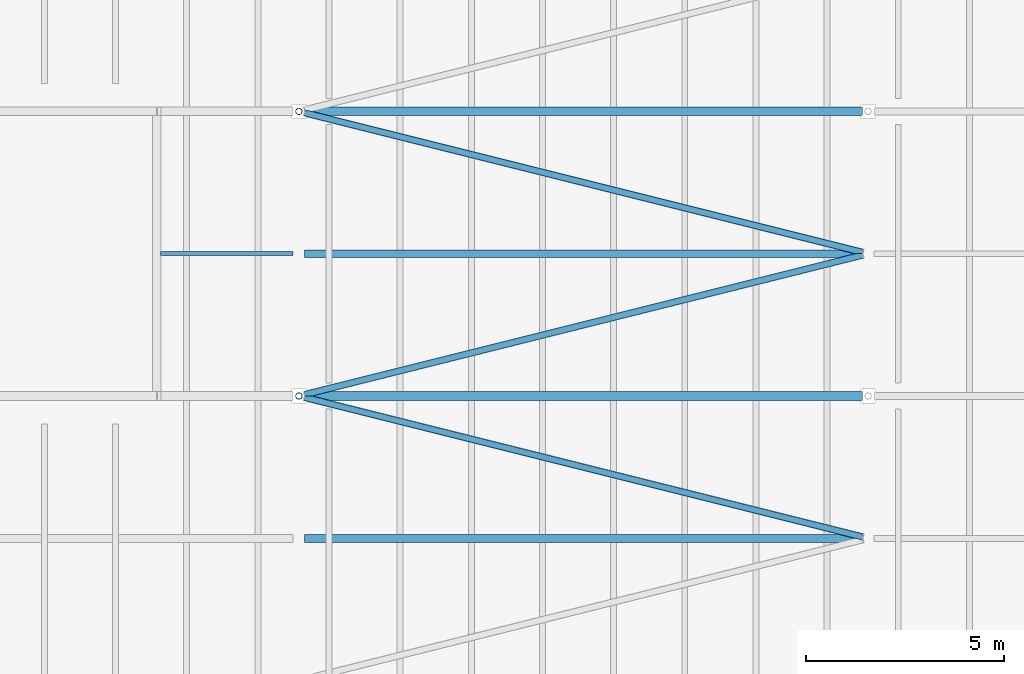
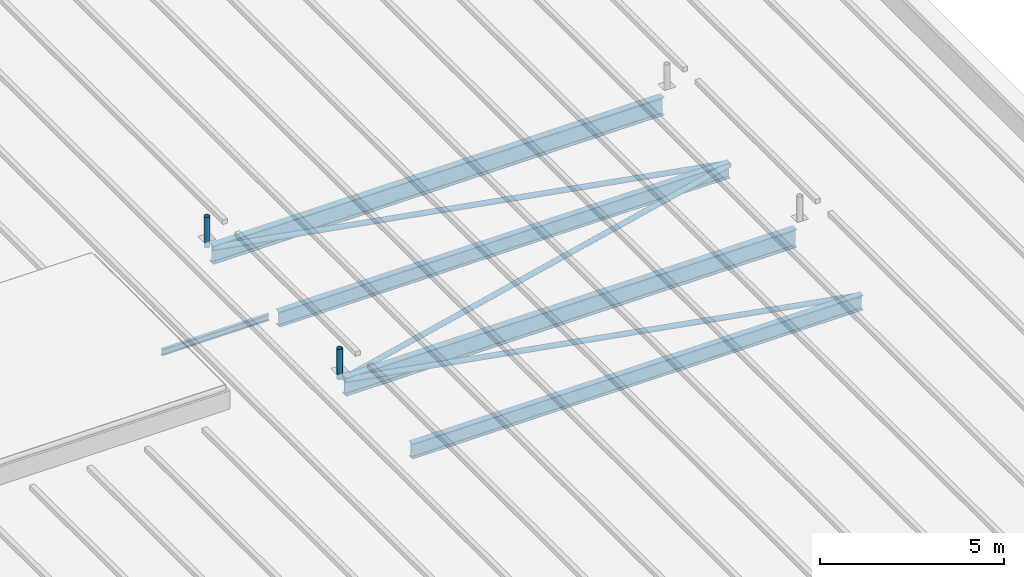
# One storey, part 51 of 120: 5 beams, 5 members.
"""IFC4 building model written with IfcOpenShell, lengths in metres."""

import ifcopenshell
import ifcopenshell.guid

model = None  # the IFC model being written
_history = None  # IfcOwnerHistory: only IFC2X3 demands one
_inside = {}  # id of a spatial element -> (the spatial element, [elements in it])
_under = {}  # id of a project, library or spatial element -> (it, [spatial elements below it])
_declared = {}  # id of a project -> (the project, [libraries it declares])
_typed = {}  # id of a type object -> (the type object, [elements of that type])
_made_of = {}  # id of a material, layer set ... -> (it, [elements and type objects made of it])


def new_model(schema):
    """Start an empty IFC model of exactly this schema.

    Asked for "IFC4X3", IfcOpenShell would pick the latest addendum, in which some entities
    have other attributes; the version numbers below select the first issue.
    IFC2X3 requires an IfcOwnerHistory on every rooted entity: one is made here for all.
    """
    global model, _history
    if schema == "IFC4X3":
        model = ifcopenshell.file(schema_version=(4, 3, 0, 0))
    else:
        model = ifcopenshell.file(schema=schema)
    _inside.clear()
    _under.clear()
    _declared.clear()
    _typed.clear()
    _made_of.clear()
    _history = None
    if model.schema == "IFC2X3":
        org = make("IfcOrganization", Name="unknown")
        user = make(
            "IfcPersonAndOrganization",
            ThePerson=make("IfcPerson", FamilyName="unknown"),
            TheOrganization=org,
        )
        app = make(
            "IfcApplication",
            ApplicationDeveloper=org,
            Version="unknown",
            ApplicationFullName="unknown",
            ApplicationIdentifier="unknown",
        )
        _history = make(
            "IfcOwnerHistory",
            OwningUser=user,
            OwningApplication=app,
            ChangeAction="ADDED",
            CreationDate=0,
        )
    return model


def make(cls, **values):
    """One entity of the class cls with the attributes given. An attribute that is None is left unset."""
    return model.create_entity(
        cls, **{name: value for name, value in values.items() if value is not None}
    )


def rooted(cls, **values):
    """An entity with a GlobalId (a new one), such as an element, a storey or a relation."""
    return make(cls, GlobalId=ifcopenshell.guid.new(), OwnerHistory=_history, **values)


def si_unit(unit_type, name, prefix=None):
    """IfcSIUnit, for example si_unit("LENGTHUNIT", "METRE", prefix="MILLI")."""
    return make("IfcSIUnit", UnitType=unit_type, Prefix=prefix, Name=name)


def assignment(units):
    """IfcUnitAssignment: the units of a project."""
    return None if units is None else make("IfcUnitAssignment", Units=units)


def point(xyz):
    """IfcCartesianPoint."""
    return None if xyz is None else make("IfcCartesianPoint", Coordinates=xyz)


def direction(xyz):
    """IfcDirection."""
    return None if xyz is None else make("IfcDirection", DirectionRatios=xyz)


def frame(location, z_axis=None, x_axis=None):
    """IfcAxis2Placement3D, a coordinate frame: its origin and axes. An axis left out is left unset."""
    return make(
        "IfcAxis2Placement3D",
        Location=point(location),
        Axis=direction(z_axis),
        RefDirection=direction(x_axis),
    )


def frame_2d(location, x_axis=None):
    """IfcAxis2Placement2D, a coordinate frame in the plane: its origin and x axis."""
    return make(
        "IfcAxis2Placement2D", Location=point(location), RefDirection=direction(x_axis)
    )


def origin():
    """The frame at (0, 0, 0) with its axes left unset."""
    return frame((0.0, 0.0, 0.0))


def origin_2d():
    """The frame at (0, 0) in the plane with its x axis left unset."""
    return frame_2d((0.0, 0.0))


def place(relative_to, where):
    """IfcLocalPlacement: puts the frame where relative to a parent placement (None: the world)."""
    return make(
        "IfcLocalPlacement", PlacementRelTo=relative_to, RelativePlacement=where
    )


def context(
    kind, dimensions, precision=None, world=None, true_north=None, identifier=None
):
    """IfcGeometricRepresentationContext, for example the 3D "Model" context."""
    return make(
        "IfcGeometricRepresentationContext",
        ContextIdentifier=identifier,
        ContextType=kind,
        CoordinateSpaceDimension=dimensions,
        Precision=precision,
        WorldCoordinateSystem=world,
        TrueNorth=true_north,
    )


def subcontext(parent, identifier, kind, view, scale=None):
    """IfcGeometricRepresentationSubContext, for example "Body" below "Model"."""
    return make(
        "IfcGeometricRepresentationSubContext",
        ContextIdentifier=identifier,
        ContextType=kind,
        ParentContext=parent,
        TargetScale=scale,
        TargetView=view,
    )


def project(units=None, contexts=None):
    """IfcProject with its units and contexts."""
    return rooted(
        "IfcProject",
        Name="project",
        RepresentationContexts=contexts,
        UnitsInContext=assignment(units),
    )


def spatial(cls, under=None, at=None, **own):
    """A site, building, storey or space (cls), placed at a placement, below another one or the project."""
    s = rooted(cls, ObjectPlacement=at, **own)
    if under is not None:
        _under.setdefault(under.id(), (under, []))[1].append(s)
    return s


def profile(cls, at=None, kind="AREA", **sizes):
    """A parametric profile (cls). Its sizes go by their IFC names, for example OverallWidth=200.0."""
    return make(cls, ProfileType=kind, Position=at, **sizes)


def hollow_circle(**sizes):
    """IfcCircleHollowProfileDef."""
    return profile("IfcCircleHollowProfileDef", **sizes)


def i_section(**sizes):
    """IfcIShapeProfileDef."""
    return profile("IfcIShapeProfileDef", **sizes)


def extrude(swept, where, along, depth):
    """IfcExtrudedAreaSolid: the profile swept, set in the frame where, extruded along a direction by depth."""
    return make(
        "IfcExtrudedAreaSolid",
        SweptArea=swept,
        Position=where,
        ExtrudedDirection=direction(along),
        Depth=depth,
    )


def shape(context_of_items, identifier, shape_type, items):
    """IfcShapeRepresentation: the items that make up one representation, for example the "Body"."""
    return make(
        "IfcShapeRepresentation",
        ContextOfItems=context_of_items,
        RepresentationIdentifier=identifier,
        RepresentationType=shape_type,
        Items=items,
    )


def material(Name=None, Category=None):
    """IfcMaterial."""
    return make("IfcMaterial", Name=Name, Category=Category)


def material_profile(
    of_material, cross_section, Name=None, Category=None, Priority=None
):
    """IfcMaterialProfile: a cross section and its material."""
    return make(
        "IfcMaterialProfile",
        Name=Name,
        Material=of_material,
        Profile=cross_section,
        Priority=Priority,
        Category=Category,
    )


def profile_set(profiles, Name=None, composite=None):
    """IfcMaterialProfileSet."""
    return make(
        "IfcMaterialProfileSet",
        Name=Name,
        MaterialProfiles=profiles,
        CompositeProfile=composite,
    )


def made_of(thing, what):
    """Note that an element or type object is made of a material, layer set ...; save() writes the relation."""
    if what is not None:
        _made_of.setdefault(what.id(), (what, []))[1].append(thing)
    return thing


def type_object(cls, material=None, **own):
    """A type object (cls), such as IfcWallType, which elements share."""
    return made_of(rooted(cls, **own), material)


def element(
    cls,
    number,
    at=None,
    inside=None,
    cuts=None,
    type_object=None,
    material=None,
    context=None,
    identifier="Body",
    shape_type=None,
    held_by="IfcProductDefinitionShape",
    body=None,
    shapes=None,
    **own,
):
    """One element of the class cls, such as IfcWall. Its Tag is "e" and its number.

    at: its placement. inside: the storey or other place that contains it. cuts: it is an
    opening in that element (IfcRelVoidsElement). A single representation is given by context,
    identifier, shape_type and body (its items); several are given by shapes. held_by: the class
    of the entity that holds the representations. save() writes the other relations.
    """
    e = rooted(cls, Tag="e%d" % number, ObjectPlacement=at, **own)
    if body is not None:
        shapes = [shape(context, identifier, shape_type, body)]
    if shapes is not None:
        e.Representation = make(held_by, Representations=shapes)
    if inside is not None:
        _inside.setdefault(inside.id(), (inside, []))[1].append(e)
    if cuts is not None:
        rooted(
            "IfcRelVoidsElement", RelatingBuildingElement=cuts, RelatedOpeningElement=e
        )
    if type_object is not None:
        _typed.setdefault(type_object.id(), (type_object, []))[1].append(e)
    return made_of(e, material)


def aggregate(whole, parts):
    """IfcRelAggregates: a whole, such as a stair, and the parts it consists of."""
    return rooted("IfcRelAggregates", RelatingObject=whole, RelatedObjects=parts)


def save(model, path):
    """Write the relations noted so far, then the file.

    IfcRelAggregates (storeys below a building ...), IfcRelContainedInSpatialStructure (elements
    in a storey), IfcRelDefinesByType, IfcRelAssociatesMaterial and IfcRelDeclares: one each for
    every whole, place, type object, material and project.
    """
    for whole, parts in _under.values():
        aggregate(whole, parts)
    for where, things in _inside.values():
        rooted(
            "IfcRelContainedInSpatialStructure",
            RelatedElements=things,
            RelatingStructure=where,
        )
    for kind, things in _typed.values():
        rooted("IfcRelDefinesByType", RelatedObjects=things, RelatingType=kind)
    for what, things in _made_of.values():
        rooted("IfcRelAssociatesMaterial", RelatedObjects=things, RelatingMaterial=what)
    for by, libraries in _declared.values():
        rooted("IfcRelDeclares", RelatingContext=by, RelatedDefinitions=libraries)
    model.write(path)


model = new_model("IFC4")

# Units and contexts
model_context = context("Model", 3, precision=1e-05, world=origin(), true_north=direction((0.0, 1.0)))
body_context = subcontext(model_context, "Body", "Model", "MODEL_VIEW")
ifc_project = project(units=[si_unit("LENGTHUNIT", "METRE"), si_unit("AREAUNIT", "SQUARE_METRE"), si_unit("VOLUMEUNIT", "CUBIC_METRE"), si_unit("PLANEANGLEUNIT", "RADIAN"), si_unit("MASSUNIT", "GRAM", prefix="KILO")], contexts=[model_context])

# Site, building, storey
site_placement = place(None, origin())
site = spatial("IfcSite", under=ifc_project, at=site_placement, CompositionType="ELEMENT")
building_placement = place(site_placement, origin())
building = spatial("IfcBuilding", under=site, at=building_placement, Name="Kupolbacken Congress Centre", CompositionType="ELEMENT")
storey_placement = place(building_placement, frame((0.0, 0.0, 21.60009765625)))
storey = spatial("IfcBuildingStorey", under=building, at=storey_placement, Name="L06", CompositionType="ELEMENT", Elevation=21.60009765625)

# Beams
ifc_material_1 = material(Name="Steel S355", Category="steel")
ifc_material_profile_1 = material_profile(ifc_material_1, i_section(OverallWidth=0.10009765625, OverallDepth=0.199951171875, WebThickness=0.005615234375, FlangeThickness=0.008544921875, FilletRadius=0.011962890625, at=origin_2d()), Name="IPE 200")
ifc_profile_set_1 = profile_set([ifc_material_profile_1], Name="Steel S355")
beam_type_1 = type_object("IfcBeamType", Name="B01 beam IPE 200", PredefinedType="BEAM", material=ifc_profile_set_1)
beam_placement = place(storey_placement, frame((176.5, 79.199951171875, -0.10009765625), z_axis=(1.0, 0.0, 0.0), x_axis=(0.0, 1.0, 0.0)))
element("IfcBeam", 1, at=beam_placement, inside=storey, type_object=beam_type_1, Name="HR/P10-06-1", PredefinedType="BEAM", context=body_context, shape_type="SweptSolid", body=[
    extrude(i_section(OverallWidth=0.10009765625, OverallDepth=0.199951171875, WebThickness=0.005615234375, FlangeThickness=0.008544921875, FilletRadius=0.011962890625, at=origin_2d()), origin(), (0.0, 0.0, 1.0), 3.35498046875),
])
ifc_material_2 = material(Name="Steel S355", Category="steel")
ifc_material_profile_2 = material_profile(ifc_material_2, i_section(OverallWidth=0.199951171875, OverallDepth=0.5, WebThickness=0.01025390625, FlangeThickness=0.01611328125, FilletRadius=0.02099609375, at=origin_2d()), Name="IPE 500")
ifc_profile_set_2 = profile_set([ifc_material_profile_2], Name="Steel S355")
beam_type_2 = type_object("IfcBeamType", Name="B09 beam IPE 500", PredefinedType="BEAM", material=ifc_profile_set_2)
for number, where, z_axis, x_axis, name in (
    (2, (180.14501953125, 72.0, -0.25), (1.0, 0.0, 0.0), (0.0, 1.0, 0.0), "HR/P08-07"),
    (3, (180.14501953125, 79.199951171875, -0.25), (1.0, 0.0, 0.0), (0.0, 1.0, 0.0), "HR/P10-07"),
):
    element("IfcBeam", number, at=place(storey_placement, frame(where, z_axis=z_axis, x_axis=x_axis)), inside=storey, type_object=beam_type_2, Name=name, PredefinedType="BEAM", context=body_context, shape_type="SweptSolid", body=[
        extrude(i_section(OverallWidth=0.199951171875, OverallDepth=0.5, WebThickness=0.01025390625, FlangeThickness=0.01611328125, FilletRadius=0.02099609375, at=origin_2d()), origin(), (0.0, 0.0, 1.0), 14.10986328125),
    ])
ifc_material_3 = material(Name="Steel S355", Category="steel")
ifc_material_profile_3 = material_profile(ifc_material_3, i_section(OverallWidth=0.219970703125, OverallDepth=0.60009765625, WebThickness=0.011962890625, FlangeThickness=0.01904296875, FilletRadius=0.02392578125, at=origin_2d()), Name="IPE 600")
ifc_profile_set_3 = profile_set([ifc_material_profile_3], Name="Steel S355")
beam_type_3 = type_object("IfcBeamType", Name="B11 beam IPE 600", PredefinedType="BEAM", material=ifc_profile_set_3)
for number, where, z_axis, x_axis, name in (
    (4, (180.14501953125, 75.60009765625, -0.300048828125), (1.0, 0.0, 0.0), (0.0, 1.0, 0.0), "HR/X09-07"),
    (5, (180.14501953125, 82.800048828125, -0.300048828125), (1.0, 0.0, 0.0), (0.0, 1.0, 0.0), "HR/X11-07"),
):
    element("IfcBeam", number, at=place(storey_placement, frame(where, z_axis=z_axis, x_axis=x_axis)), inside=storey, type_object=beam_type_3, Name=name, PredefinedType="BEAM", context=body_context, shape_type="SweptSolid", body=[
        extrude(i_section(OverallWidth=0.219970703125, OverallDepth=0.60009765625, WebThickness=0.011962890625, FlangeThickness=0.01904296875, FilletRadius=0.02392578125, at=origin_2d()), origin(), (0.0, 0.0, 1.0), 14.10986328125),
    ])

# Members
ifc_material_4 = material(Name="Steel S355", Category="steel")
ifc_material_profile_4 = material_profile(ifc_material_4, hollow_circle(Radius=0.084228515625, WallThickness=0.008056640625, at=origin_2d()), Name="CHS 168.3 x 8")
ifc_profile_set_4 = profile_set([ifc_material_profile_4], Name="Steel S355")
member_type_1 = type_object("IfcMemberType", Name="M20 transfer truss post CHS 168.3 x 8", PredefinedType="STRUT", material=ifc_profile_set_4)
for number, where, z_axis, x_axis, name in (
    (6, (180.0, 75.60009765625, -0.010009765625), (0.0, 0.0, 1.0), (1.0, 0.0, 0.0), "Roof stay anchor post M7S.2"),
    (7, (180.0, 82.800048828125, -0.010009765625), (0.0, 0.0, 1.0), (1.0, 0.0, 0.0), "Roof stay anchor post M7N.2"),
):
    element("IfcMember", number, at=place(storey_placement, frame(where, z_axis=z_axis, x_axis=x_axis)), inside=storey, type_object=member_type_1, Name=name, PredefinedType="STRUT", context=body_context, shape_type="SweptSolid", body=[
        extrude(hollow_circle(Radius=0.084228515625, WallThickness=0.008056640625, at=origin_2d()), origin(), (0.0, 0.0, 1.0), 1.010009765625),
    ])
ifc_material_5 = material(Name="Steel S355", Category="steel")
ifc_material_profile_5 = material_profile(ifc_material_5, hollow_circle(Radius=0.084228515625, WallThickness=0.008056640625, at=origin_2d()), Name="CHS 168.3 x 8")
ifc_profile_set_5 = profile_set([ifc_material_profile_5], Name="Steel S355")
member_type_2 = type_object("IfcMemberType", Name="M21 brace CHS 168.3 x 8", PredefinedType="BRACE", material=ifc_profile_set_5)
for number, where, z_axis, x_axis, name in (
    (8, (194.25927734375, 72.03515625, -0.084228515625), (-0.970140526498, 0.24254351949, 0.0), (-0.24254351949, -0.970140526498, 0.0), "HR/RB/07-08"),
    (9, (180.140625, 75.63525390625, -0.084228515625), (0.970144473737, 0.242527730535, 0.0), (-0.242527730535, 0.970144473737, 0.0), "HR/RB/07-09"),
    (10, (194.25927734375, 79.235107421875, -0.084228515625), (-0.970140526498, 0.24254351949, 0.0), (-0.24254351949, -0.970140526498, 0.0), "HR/RB/07-10"),
):
    element("IfcMember", number, at=place(storey_placement, frame(where, z_axis=z_axis, x_axis=x_axis)), inside=storey, type_object=member_type_2, Name=name, PredefinedType="BRACE", context=body_context, shape_type="SweptSolid", body=[
        extrude(hollow_circle(Radius=0.084228515625, WallThickness=0.008056640625, at=origin_2d()), origin(), (0.0, 0.0, 1.0), 14.55322265625),
    ])

save(model, "model.ifc")
